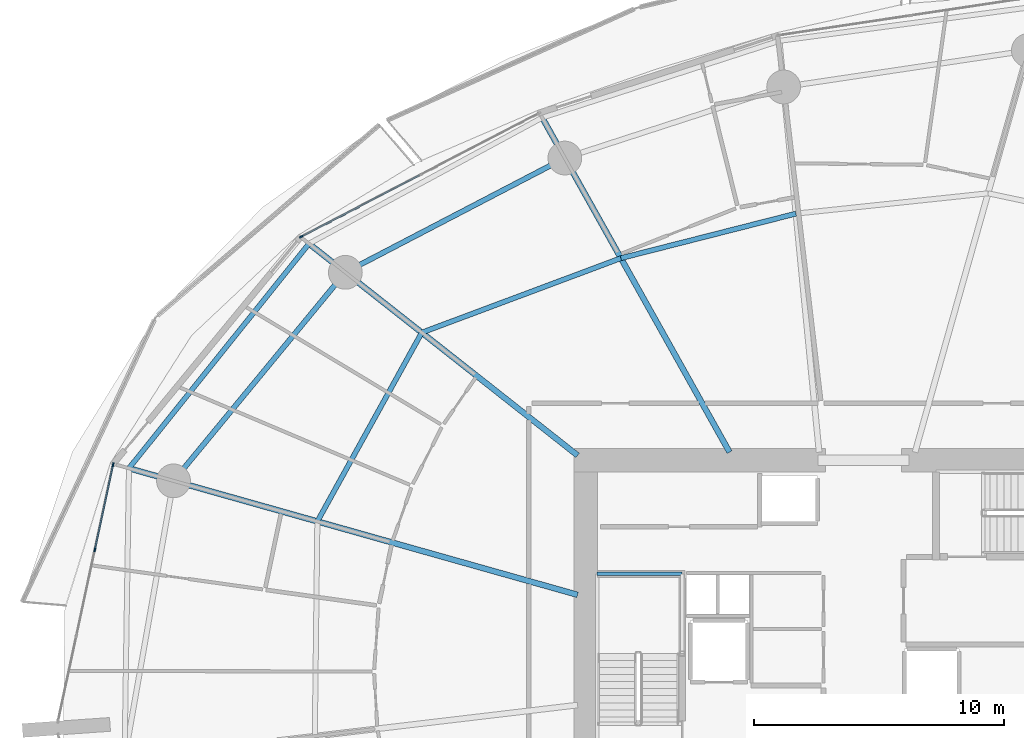
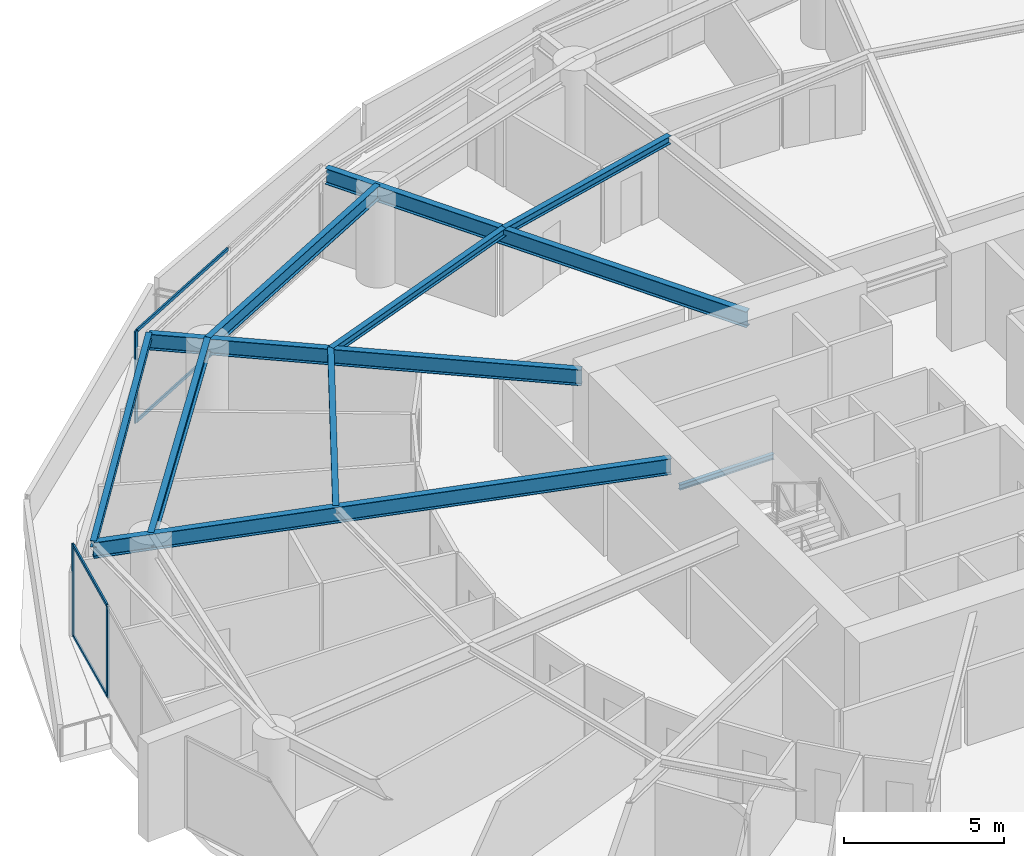
# One storey, part 12 of 31: 10 beams, 7 members, 2 elements without a shape of their own.
"""IFC4 building model written with IfcOpenShell, lengths in metres."""

from ifc_helpers import new_model, si_unit, direction, frame, origin, origin_2d, place, context, subcontext, project, spatial, rectangle, i_section, extrude, material, layer, layer_set, material_profile, profile_set, type_object, element, aggregate, save


model = new_model("IFC4")

# Units and contexts
model_context = context("Model", 3, precision=1e-05, world=origin(), true_north=direction((0.0, 1.0)))
body_context = subcontext(model_context, "Body", "Model", "MODEL_VIEW")
ifc_project = project(units=[si_unit("LENGTHUNIT", "METRE"), si_unit("AREAUNIT", "SQUARE_METRE"), si_unit("VOLUMEUNIT", "CUBIC_METRE"), si_unit("PLANEANGLEUNIT", "RADIAN"), si_unit("MASSUNIT", "GRAM", prefix="KILO")], contexts=[model_context])

# Site, building, storey
site_placement = place(None, origin())
site = spatial("IfcSite", under=ifc_project, at=site_placement, CompositionType="ELEMENT")
building_placement = place(site_placement, origin())
building = spatial("IfcBuilding", under=site, at=building_placement, Name="Kazma Halo Residences", CompositionType="ELEMENT")
storey_placement = place(building_placement, frame((0.0, 0.0, 60.14990234375)))
storey = spatial("IfcBuildingStorey", under=building, at=storey_placement, Name="L14", CompositionType="ELEMENT", Elevation=60.14990234375)

# Beams
ifc_material_1 = material(Name="Steel S355", Category="steel")
ifc_material_profile_1 = material_profile(ifc_material_1, i_section(OverallWidth=0.201904296875, OverallDepth=0.2470703125, WebThickness=0.00732421875, FlangeThickness=0.010986328125, FilletRadius=0.011962890625, at=origin_2d()), Name="W250x49.1")
ifc_profile_set_1 = profile_set([ifc_material_profile_1], Name="Steel S355")
beam_type_1 = type_object("IfcBeamType", Name="BM-BAL-CANT", PredefinedType="BEAM", material=ifc_profile_set_1)
beam_1_placement = place(storey_placement, frame((26.271484375, 59.12939453125, 3.376708984375), z_axis=(-0.625476617708, -0.780242911343, 0.0), x_axis=(0.780242911343, -0.625476617708, 0.0)))
element("IfcBeam", 1, at=beam_1_placement, inside=storey, type_object=beam_type_1, Name="L14 wave-balcony tie beam 06", PredefinedType="BEAM", context=body_context, shape_type="SweptSolid", body=[
    extrude(i_section(OverallWidth=0.201904296875, OverallDepth=0.2470703125, WebThickness=0.00732421875, FlangeThickness=0.010986328125, FilletRadius=0.011962890625, at=origin_2d()), origin(), (0.0, 0.0, 1.0), 11.499755859375),
])
ifc_material_profile_2 = material_profile(ifc_material_1, i_section(OverallWidth=0.22802734375, OverallDepth=0.60791015625, WebThickness=0.01123046875, FlangeThickness=0.017333984375, FilletRadius=0.01806640625, at=origin_2d()), Name="W610x113")
ifc_profile_set_2 = profile_set([ifc_material_profile_2], Name="Steel S355")
beam_type_2 = type_object("IfcBeamType", Name="BM-RAD-W610", PredefinedType="BEAM", material=ifc_profile_set_2)
beam_2_placement = place(storey_placement, frame((43.07177734375, 50.800048828125, 3.196044921875), z_axis=(-0.488624239587, 0.872494328055, 0.0), x_axis=(-0.872494328055, -0.488624239587, 0.0)))
element("IfcBeam", 2, at=beam_2_placement, inside=storey, type_object=beam_type_2, Name="L14 radial floor beam 05", PredefinedType="BEAM", context=body_context, shape_type="SweptSolid", body=[
    extrude(i_section(OverallWidth=0.22802734375, OverallDepth=0.60791015625, WebThickness=0.01123046875, FlangeThickness=0.017333984375, FilletRadius=0.01806640625, at=origin_2d()), origin(), (0.0, 0.0, 1.0), 15.316650390625),
])
beam_3_placement = place(storey_placement, frame((37.0, 50.671630859375, 3.196044921875), z_axis=(-0.78531394447, 0.619097737536, 0.0), x_axis=(-0.619097737536, -0.78531394447, 0.0)))
element("IfcBeam", 3, at=beam_3_placement, inside=storey, type_object=beam_type_2, Name="L14 radial floor beam 06", PredefinedType="BEAM", context=body_context, shape_type="SweptSolid", body=[
    extrude(i_section(OverallWidth=0.22802734375, OverallDepth=0.60791015625, WebThickness=0.01123046875, FlangeThickness=0.017333984375, FilletRadius=0.01806640625, at=origin_2d()), origin(), (0.0, 0.0, 1.0), 13.661376953125),
])
beam_4_placement = place(storey_placement, frame((37.0, 45.102294921875, 3.196044921875), z_axis=(-0.962453979784, 0.271444905641, 0.0), x_axis=(-0.271444905641, -0.962453979784, 0.0)))
element("IfcBeam", 4, at=beam_4_placement, inside=storey, type_object=beam_type_2, Name="L14 radial floor beam 07", PredefinedType="BEAM", context=body_context, shape_type="SweptSolid", body=[
    extrude(i_section(OverallWidth=0.22802734375, OverallDepth=0.60791015625, WebThickness=0.01123046875, FlangeThickness=0.017333984375, FilletRadius=0.01806640625, at=origin_2d()), origin(), (0.0, 0.0, 1.0), 18.62060546875),
])
ifc_material_profile_3 = material_profile(ifc_material_1, i_section(OverallWidth=0.202880859375, OverallDepth=0.302978515625, WebThickness=0.007568359375, FlangeThickness=0.01318359375, FilletRadius=0.013916015625, at=origin_2d()), Name="W310x60")
ifc_profile_set_3 = profile_set([ifc_material_profile_3], Name="Steel S355")
beam_type_3 = type_object("IfcBeamType", Name="BM-SEC-W310A", PredefinedType="JOIST", material=ifc_profile_set_3)
beam_5_placement = place(storey_placement, frame((45.7236328125, 60.329833984375, 3.3486328125), z_axis=(-0.969127021388, -0.246561993047, 0.0), x_axis=(0.246561993047, -0.969127021388, 0.0)))
element("IfcBeam", 5, at=beam_5_placement, inside=storey, type_object=beam_type_3, Name="L14 circumferential floor joist 04", PredefinedType="JOIST", context=body_context, shape_type="SweptSolid", body=[
    extrude(i_section(OverallWidth=0.202880859375, OverallDepth=0.302978515625, WebThickness=0.007568359375, FlangeThickness=0.01318359375, FilletRadius=0.013916015625, at=origin_2d()), origin(), (0.0, 0.0, 1.0), 7.21533203125),
])
beam_6_placement = place(storey_placement, frame((38.73095703125, 58.55078125, 3.3486328125), z_axis=(-0.936676104069, -0.350196910417, 0.0), x_axis=(0.350196910417, -0.936676104069, 0.0)))
element("IfcBeam", 6, at=beam_6_placement, inside=storey, type_object=beam_type_3, Name="L14 circumferential floor joist 05", PredefinedType="JOIST", context=body_context, shape_type="SweptSolid", body=[
    extrude(i_section(OverallWidth=0.202880859375, OverallDepth=0.302978515625, WebThickness=0.007568359375, FlangeThickness=0.01318359375, FilletRadius=0.013916015625, at=origin_2d()), origin(), (0.0, 0.0, 1.0), 8.4912109375),
])
beam_7_placement = place(storey_placement, frame((30.77734375, 55.5771484375, 3.3486328125), z_axis=(-0.483953872195, -0.875093509054, 0.0), x_axis=(0.875093509054, -0.483953872195, 0.0)))
element("IfcBeam", 7, at=beam_7_placement, inside=storey, type_object=beam_type_3, Name="L14 circumferential floor joist 06", PredefinedType="JOIST", context=body_context, shape_type="SweptSolid", body=[
    extrude(i_section(OverallWidth=0.202880859375, OverallDepth=0.302978515625, WebThickness=0.007568359375, FlangeThickness=0.01318359375, FilletRadius=0.013916015625, at=origin_2d()), origin(), (0.0, 0.0, 1.0), 8.619873046875),
])
ifc_material_profile_4 = material_profile(ifc_material_1, i_section(OverallWidth=0.208984375, OverallDepth=0.532958984375, WebThickness=0.01025390625, FlangeThickness=0.015625, FilletRadius=0.01611328125, at=origin_2d()), Name="W530x92")
ifc_profile_set_4 = profile_set([ifc_material_profile_4], Name="Steel S355")
beam_type_4 = type_object("IfcBeamType", Name="BM-SPN-W530", PredefinedType="BEAM", material=ifc_profile_set_4)
beam_8_placement = place(storey_placement, frame((36.49169921875, 62.549560546875, 3.233642578125), z_axis=(-0.886956241699, -0.461853467358, 0.0), x_axis=(0.461853467358, -0.886956241699, 0.0)))
element("IfcBeam", 8, at=beam_8_placement, inside=storey, type_object=beam_type_4, Name="L14 perimeter ring beam 05", PredefinedType="BEAM", context=body_context, shape_type="SweptSolid", body=[
    extrude(i_section(OverallWidth=0.208984375, OverallDepth=0.532958984375, WebThickness=0.01025390625, FlangeThickness=0.015625, FilletRadius=0.01611328125, at=origin_2d()), origin(), (0.0, 0.0, 1.0), 9.885009765625),
])
beam_9_placement = place(storey_placement, frame((27.72412109375, 57.984130859375, 3.233642578125), z_axis=(-0.636001336663, -0.771687954916, 0.0), x_axis=(0.771687954916, -0.636001336663, 0.0)))
element("IfcBeam", 9, at=beam_9_placement, inside=storey, type_object=beam_type_4, Name="L14 perimeter ring beam 06", PredefinedType="BEAM", context=body_context, shape_type="SweptSolid", body=[
    extrude(i_section(OverallWidth=0.208984375, OverallDepth=0.532958984375, WebThickness=0.01025390625, FlangeThickness=0.015625, FilletRadius=0.01611328125, at=origin_2d()), origin(), (0.0, 0.0, 1.0), 10.7939453125),
])
ifc_material_profile_5 = material_profile(ifc_material_1, i_section(OverallWidth=0.133056640625, OverallDepth=0.20703125, WebThickness=0.005859375, FlangeThickness=0.00830078125, FilletRadius=0.010009765625, at=origin_2d()), Name="W200x26.6")
ifc_profile_set_5 = profile_set([ifc_material_profile_5], Name="Steel S355")
beam_type_5 = type_object("IfcBeamType", Name="BM-TRIM-W200", PredefinedType="BEAM", material=ifc_profile_set_5)
beam_10_placement = place(storey_placement, frame((37.780029296875, 45.93994140625, 1.570068359375), z_axis=(1.0, 0.0, 0.0), x_axis=(0.0, 1.0, 0.0)))
element("IfcBeam", 10, at=beam_10_placement, inside=storey, type_object=beam_type_5, Name="L14 ST-01 landing end wall ledger", PredefinedType="BEAM", context=body_context, shape_type="SweptSolid", body=[
    extrude(i_section(OverallWidth=0.133056640625, OverallDepth=0.20703125, WebThickness=0.005859375, FlangeThickness=0.00830078125, FilletRadius=0.010009765625, at=origin_2d()), origin(), (0.0, 0.0, 1.0), 3.39990234375),
])

# Curtain wall, member
ifc_material_2 = material(Name="Aluminium AW-6063 T6 and Triple-Silver Low-E Glass", Category="aluminium")
ifc_layer = layer(ifc_material_2, 0.159912109375)
ifc_layer_set = layer_set([ifc_layer], Name="Aluminium AW-6063 T6 and Triple-Silver Low-E Glass")
curtain_wall_type = type_object("IfcCurtainWallType", Name="CW-SYS-2", PredefinedType="NOTDEFINED", material=ifc_layer_set)
curtain_wall_1_placement = place(storey_placement, origin())
curtain_wall_1 = element("IfcCurtainWall", 11, at=curtain_wall_1_placement, inside=storey, type_object=curtain_wall_type, Name="L14 unitised curtain wall B05", PredefinedType="NOTDEFINED")
ifc_material_3 = material(Name="Aluminium AW-6063 T6", Category="aluminium")
ifc_material_profile_6 = material_profile(ifc_material_3, rectangle(XDim=0.06005859375, YDim=0.159912109375, at=origin_2d()), Name="CWM-60x160")
ifc_profile_set_6 = profile_set([ifc_material_profile_6], Name="Aluminium AW-6063 T6")
member_type_1 = type_object("IfcMemberType", Name="CW-SYS-2-MUL", PredefinedType="MULLION", material=ifc_profile_set_6)
member_1_placement = place(storey_placement, frame((25.96142578125, 59.408447265625, 0.0), z_axis=(0.0, 0.0, 1.0), x_axis=(0.460995912628, -0.887402258584, 0.0)))
member_1 = element("IfcMember", 12, at=member_1_placement, type_object=member_type_1, Name="CWS-2 mullion 3", PredefinedType="MULLION", context=body_context, shape_type="SweptSolid", body=[
    extrude(rectangle(XDim=0.06005859375, YDim=0.159912109375, at=origin_2d()), origin(), (0.0, 0.0, 1.0), 3.5),
])

# Curtain wall, members
curtain_wall_2_placement = place(storey_placement, origin())
curtain_wall_2 = element("IfcCurtainWall", 13, at=curtain_wall_2_placement, inside=storey, type_object=curtain_wall_type, Name="L14 unitised curtain wall B07", PredefinedType="NOTDEFINED")
member_2_placement = place(storey_placement, frame((18.447021484375, 50.3037109375, 0.0), z_axis=(0.0, 0.0, 1.0), x_axis=(0.977779215096, -0.209637321406, 0.0)))
member_2 = element("IfcMember", 14, at=member_2_placement, type_object=member_type_1, Name="CWS-2 mullion 1", PredefinedType="MULLION", context=body_context, shape_type="SweptSolid", body=[
    extrude(rectangle(XDim=0.06005859375, YDim=0.159912109375, at=origin_2d()), origin(), (0.0, 0.0, 1.0), 3.5),
])
member_3_placement = place(storey_placement, frame((17.717041015625, 46.898681640625, 0.0), z_axis=(0.0, 0.0, 1.0), x_axis=(0.977779215096, -0.209637321406, 0.0)))
member_3 = element("IfcMember", 15, at=member_3_placement, type_object=member_type_1, Name="CWS-2 mullion 2", PredefinedType="MULLION", context=body_context, shape_type="SweptSolid", body=[
    extrude(rectangle(XDim=0.06005859375, YDim=0.159912109375, at=origin_2d()), origin(), (0.0, 0.0, 1.0), 3.5),
])

# Member
ifc_material_profile_7 = material_profile(ifc_material_3, rectangle(XDim=0.06005859375, YDim=0.1201171875, at=origin_2d()), Name="CWT-60x120")
ifc_profile_set_7 = profile_set([ifc_material_profile_7], Name="Aluminium AW-6063 T6")
member_type_2 = type_object("IfcMemberType", Name="CW-SYS-2-TRN", PredefinedType="USERDEFINED", material=ifc_profile_set_7)
member_4_placement = place(storey_placement, frame((30.681396484375, 61.8603515625, 0.030029296875), z_axis=(-0.887414738583, -0.460971888238, 0.0), x_axis=(0.460971888238, -0.887414738583, 0.0)))
member_4 = element("IfcMember", 16, at=member_4_placement, type_object=member_type_2, Name="CWS-2 transom 2.1", ObjectType="TRANSOM", PredefinedType="USERDEFINED", context=body_context, shape_type="SweptSolid", body=[
    extrude(rectangle(XDim=0.06005859375, YDim=0.1201171875, at=origin_2d()), origin(), (0.0, 0.0, 1.0), 5.288818359375),
])

member_5_placement = place(storey_placement, frame((30.681396484375, 61.8603515625, 3.47021484375), z_axis=(-0.887414738583, -0.460971888238, 0.0), x_axis=(0.460971888238, -0.887414738583, 0.0)))
member_5 = element("IfcMember", 17, at=member_5_placement, type_object=member_type_2, Name="CWS-2 transom 2.2", ObjectType="TRANSOM", PredefinedType="USERDEFINED", context=body_context, shape_type="SweptSolid", body=[
    extrude(rectangle(XDim=0.06005859375, YDim=0.1201171875, at=origin_2d()), origin(), (0.0, 0.0, 1.0), 5.288818359375),
])

aggregate(curtain_wall_1, [member_1, member_4, member_5])

member_6_placement = place(storey_placement, frame((18.440673828125, 50.2744140625, 0.030029296875), z_axis=(-0.209650877007, -0.977776308657, 0.0), x_axis=(0.977776308657, -0.209650877007, 0.0)))
member_6 = element("IfcMember", 18, at=member_6_placement, type_object=member_type_2, Name="CWS-2 transom 1.1", ObjectType="TRANSOM", PredefinedType="USERDEFINED", context=body_context, shape_type="SweptSolid", body=[
    extrude(rectangle(XDim=0.06005859375, YDim=0.1201171875, at=origin_2d()), origin(), (0.0, 0.0, 1.0), 3.422607421875),
])

member_7_placement = place(storey_placement, frame((18.440673828125, 50.2744140625, 3.47021484375), z_axis=(-0.209650877007, -0.977776308657, 0.0), x_axis=(0.977776308657, -0.209650877007, 0.0)))
member_7 = element("IfcMember", 19, at=member_7_placement, type_object=member_type_2, Name="CWS-2 transom 1.2", ObjectType="TRANSOM", PredefinedType="USERDEFINED", context=body_context, shape_type="SweptSolid", body=[
    extrude(rectangle(XDim=0.06005859375, YDim=0.1201171875, at=origin_2d()), origin(), (0.0, 0.0, 1.0), 3.422607421875),
])

aggregate(curtain_wall_2, [member_2, member_3, member_6, member_7])

save(model, "model.ifc")
